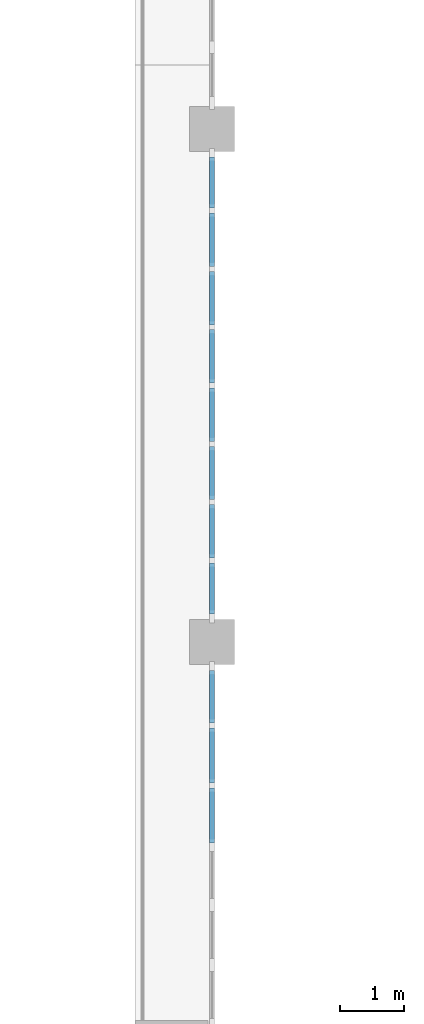
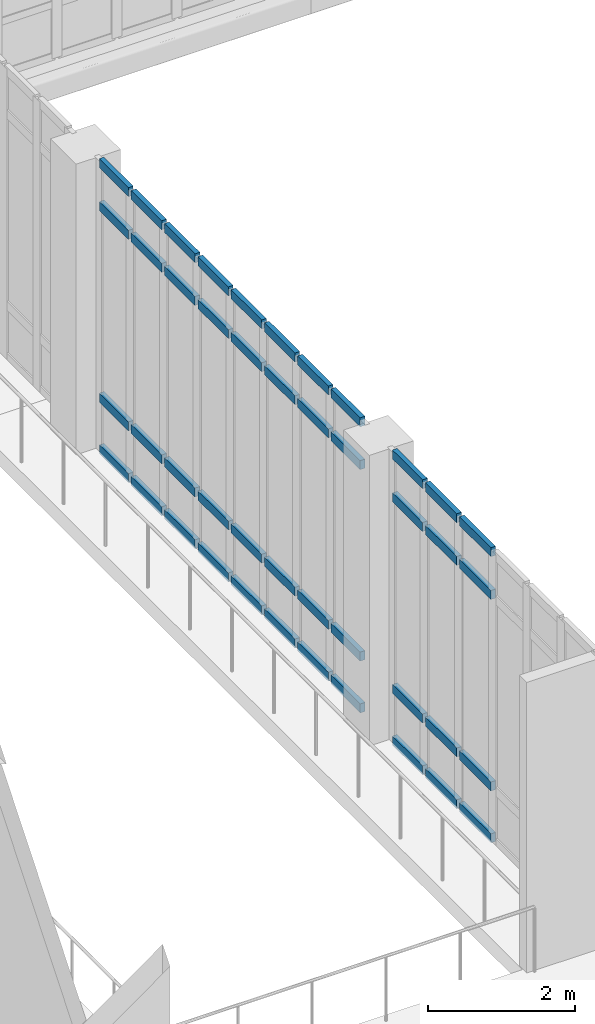
# One storey, part 50 of 107: 44 members, 2 elements without a shape of their own.
"""IFC4 building model written with IfcOpenShell, lengths in metres."""

import ifcopenshell
import ifcopenshell.guid

model = None  # the IFC model being written
_history = None  # IfcOwnerHistory: only IFC2X3 demands one
_inside = {}  # id of a spatial element -> (the spatial element, [elements in it])
_under = {}  # id of a project, library or spatial element -> (it, [spatial elements below it])
_declared = {}  # id of a project -> (the project, [libraries it declares])
_typed = {}  # id of a type object -> (the type object, [elements of that type])
_made_of = {}  # id of a material, layer set ... -> (it, [elements and type objects made of it])


def new_model(schema):
    """Start an empty IFC model of exactly this schema.

    Asked for "IFC4X3", IfcOpenShell would pick the latest addendum, in which some entities
    have other attributes; the version numbers below select the first issue.
    IFC2X3 requires an IfcOwnerHistory on every rooted entity: one is made here for all.
    """
    global model, _history
    if schema == "IFC4X3":
        model = ifcopenshell.file(schema_version=(4, 3, 0, 0))
    else:
        model = ifcopenshell.file(schema=schema)
    _inside.clear()
    _under.clear()
    _declared.clear()
    _typed.clear()
    _made_of.clear()
    _history = None
    if model.schema == "IFC2X3":
        org = make("IfcOrganization", Name="unknown")
        user = make(
            "IfcPersonAndOrganization",
            ThePerson=make("IfcPerson", FamilyName="unknown"),
            TheOrganization=org,
        )
        app = make(
            "IfcApplication",
            ApplicationDeveloper=org,
            Version="unknown",
            ApplicationFullName="unknown",
            ApplicationIdentifier="unknown",
        )
        _history = make(
            "IfcOwnerHistory",
            OwningUser=user,
            OwningApplication=app,
            ChangeAction="ADDED",
            CreationDate=0,
        )
    return model


def make(cls, **values):
    """One entity of the class cls with the attributes given. An attribute that is None is left unset."""
    return model.create_entity(
        cls, **{name: value for name, value in values.items() if value is not None}
    )


def rooted(cls, **values):
    """An entity with a GlobalId (a new one), such as an element, a storey or a relation."""
    return make(cls, GlobalId=ifcopenshell.guid.new(), OwnerHistory=_history, **values)


def si_unit(unit_type, name, prefix=None):
    """IfcSIUnit, for example si_unit("LENGTHUNIT", "METRE", prefix="MILLI")."""
    return make("IfcSIUnit", UnitType=unit_type, Prefix=prefix, Name=name)


def assignment(units):
    """IfcUnitAssignment: the units of a project."""
    return None if units is None else make("IfcUnitAssignment", Units=units)


def point(xyz):
    """IfcCartesianPoint."""
    return None if xyz is None else make("IfcCartesianPoint", Coordinates=xyz)


def direction(xyz):
    """IfcDirection."""
    return None if xyz is None else make("IfcDirection", DirectionRatios=xyz)


def frame(location, z_axis=None, x_axis=None):
    """IfcAxis2Placement3D, a coordinate frame: its origin and axes. An axis left out is left unset."""
    return make(
        "IfcAxis2Placement3D",
        Location=point(location),
        Axis=direction(z_axis),
        RefDirection=direction(x_axis),
    )


def frame_2d(location, x_axis=None):
    """IfcAxis2Placement2D, a coordinate frame in the plane: its origin and x axis."""
    return make(
        "IfcAxis2Placement2D", Location=point(location), RefDirection=direction(x_axis)
    )


def origin():
    """The frame at (0, 0, 0) with its axes left unset."""
    return frame((0.0, 0.0, 0.0))


def origin_2d():
    """The frame at (0, 0) in the plane with its x axis left unset."""
    return frame_2d((0.0, 0.0))


def place(relative_to, where):
    """IfcLocalPlacement: puts the frame where relative to a parent placement (None: the world)."""
    return make(
        "IfcLocalPlacement", PlacementRelTo=relative_to, RelativePlacement=where
    )


def context(
    kind, dimensions, precision=None, world=None, true_north=None, identifier=None
):
    """IfcGeometricRepresentationContext, for example the 3D "Model" context."""
    return make(
        "IfcGeometricRepresentationContext",
        ContextIdentifier=identifier,
        ContextType=kind,
        CoordinateSpaceDimension=dimensions,
        Precision=precision,
        WorldCoordinateSystem=world,
        TrueNorth=true_north,
    )


def subcontext(parent, identifier, kind, view, scale=None):
    """IfcGeometricRepresentationSubContext, for example "Body" below "Model"."""
    return make(
        "IfcGeometricRepresentationSubContext",
        ContextIdentifier=identifier,
        ContextType=kind,
        ParentContext=parent,
        TargetScale=scale,
        TargetView=view,
    )


def project(units=None, contexts=None):
    """IfcProject with its units and contexts."""
    return rooted(
        "IfcProject",
        Name="project",
        RepresentationContexts=contexts,
        UnitsInContext=assignment(units),
    )


def spatial(cls, under=None, at=None, **own):
    """A site, building, storey or space (cls), placed at a placement, below another one or the project."""
    s = rooted(cls, ObjectPlacement=at, **own)
    if under is not None:
        _under.setdefault(under.id(), (under, []))[1].append(s)
    return s


def profile(cls, at=None, kind="AREA", **sizes):
    """A parametric profile (cls). Its sizes go by their IFC names, for example OverallWidth=200.0."""
    return make(cls, ProfileType=kind, Position=at, **sizes)


def rectangle(**sizes):
    """IfcRectangleProfileDef."""
    return profile("IfcRectangleProfileDef", **sizes)


def extrude(swept, where, along, depth):
    """IfcExtrudedAreaSolid: the profile swept, set in the frame where, extruded along a direction by depth."""
    return make(
        "IfcExtrudedAreaSolid",
        SweptArea=swept,
        Position=where,
        ExtrudedDirection=direction(along),
        Depth=depth,
    )


def shape(context_of_items, identifier, shape_type, items):
    """IfcShapeRepresentation: the items that make up one representation, for example the "Body"."""
    return make(
        "IfcShapeRepresentation",
        ContextOfItems=context_of_items,
        RepresentationIdentifier=identifier,
        RepresentationType=shape_type,
        Items=items,
    )


def material(Name=None, Category=None):
    """IfcMaterial."""
    return make("IfcMaterial", Name=Name, Category=Category)


def material_profile(
    of_material, cross_section, Name=None, Category=None, Priority=None
):
    """IfcMaterialProfile: a cross section and its material."""
    return make(
        "IfcMaterialProfile",
        Name=Name,
        Material=of_material,
        Profile=cross_section,
        Priority=Priority,
        Category=Category,
    )


def profile_set(profiles, Name=None, composite=None):
    """IfcMaterialProfileSet."""
    return make(
        "IfcMaterialProfileSet",
        Name=Name,
        MaterialProfiles=profiles,
        CompositeProfile=composite,
    )


def made_of(thing, what):
    """Note that an element or type object is made of a material, layer set ...; save() writes the relation."""
    if what is not None:
        _made_of.setdefault(what.id(), (what, []))[1].append(thing)
    return thing


def type_object(cls, material=None, **own):
    """A type object (cls), such as IfcWallType, which elements share."""
    return made_of(rooted(cls, **own), material)


def element(
    cls,
    number,
    at=None,
    inside=None,
    cuts=None,
    type_object=None,
    material=None,
    context=None,
    identifier="Body",
    shape_type=None,
    held_by="IfcProductDefinitionShape",
    body=None,
    shapes=None,
    **own,
):
    """One element of the class cls, such as IfcWall. Its Tag is "e" and its number.

    at: its placement. inside: the storey or other place that contains it. cuts: it is an
    opening in that element (IfcRelVoidsElement). A single representation is given by context,
    identifier, shape_type and body (its items); several are given by shapes. held_by: the class
    of the entity that holds the representations. save() writes the other relations.
    """
    e = rooted(cls, Tag="e%d" % number, ObjectPlacement=at, **own)
    if body is not None:
        shapes = [shape(context, identifier, shape_type, body)]
    if shapes is not None:
        e.Representation = make(held_by, Representations=shapes)
    if inside is not None:
        _inside.setdefault(inside.id(), (inside, []))[1].append(e)
    if cuts is not None:
        rooted(
            "IfcRelVoidsElement", RelatingBuildingElement=cuts, RelatedOpeningElement=e
        )
    if type_object is not None:
        _typed.setdefault(type_object.id(), (type_object, []))[1].append(e)
    return made_of(e, material)


def aggregate(whole, parts):
    """IfcRelAggregates: a whole, such as a stair, and the parts it consists of."""
    return rooted("IfcRelAggregates", RelatingObject=whole, RelatedObjects=parts)


def save(model, path):
    """Write the relations noted so far, then the file.

    IfcRelAggregates (storeys below a building ...), IfcRelContainedInSpatialStructure (elements
    in a storey), IfcRelDefinesByType, IfcRelAssociatesMaterial and IfcRelDeclares: one each for
    every whole, place, type object, material and project.
    """
    for whole, parts in _under.values():
        aggregate(whole, parts)
    for where, things in _inside.values():
        rooted(
            "IfcRelContainedInSpatialStructure",
            RelatedElements=things,
            RelatingStructure=where,
        )
    for kind, things in _typed.values():
        rooted("IfcRelDefinesByType", RelatedObjects=things, RelatingType=kind)
    for what, things in _made_of.values():
        rooted("IfcRelAssociatesMaterial", RelatedObjects=things, RelatingMaterial=what)
    for by, libraries in _declared.values():
        rooted("IfcRelDeclares", RelatingContext=by, RelatedDefinitions=libraries)
    model.write(path)


model = new_model("IFC4")

# Units and contexts
model_context = context("Model", 3, precision=1e-05, world=origin(), true_north=direction((0.0, 1.0)))
body_context = subcontext(model_context, "Body", "Model", "MODEL_VIEW")
ifc_project = project(units=[si_unit("LENGTHUNIT", "METRE"), si_unit("AREAUNIT", "SQUARE_METRE"), si_unit("VOLUMEUNIT", "CUBIC_METRE"), si_unit("PLANEANGLEUNIT", "RADIAN"), si_unit("MASSUNIT", "GRAM", prefix="KILO")], contexts=[model_context])

# Site, building, storey
site_placement = place(None, origin())
site = spatial("IfcSite", under=ifc_project, at=site_placement, CompositionType="ELEMENT")
building_placement = place(site_placement, origin())
building = spatial("IfcBuilding", under=site, at=building_placement, Name="Tarnveldt Square Police Headquarters", CompositionType="ELEMENT")
storey_placement = place(building_placement, frame((0.0, 0.0, 14.699951171875)))
storey = spatial("IfcBuildingStorey", under=building, at=storey_placement, Name="L03", CompositionType="ELEMENT", Elevation=14.699951171875)

# Curtain wall, members
ifc_material_1 = material(Name="Triple-glazed low-e laminated vision glass", Category="glass")
curtain_wall_type_1 = type_object("IfcCurtainWallType", Name="CW-WG-747x484", PredefinedType="USERDEFINED", material=ifc_material_1)
curtain_wall_1_placement = place(storey_placement, origin())
curtain_wall_1 = element("IfcCurtainWall", 1, at=curtain_wall_1_placement, inside=storey, type_object=curtain_wall_type_1, Name="L03 Curtain Wall CW-L03-078", ObjectType="GLAZED CURTAIN WALL", PredefinedType="USERDEFINED")
ifc_material_2 = material(Name="Thermally broken anodised aluminium 6063-T6", Category="aluminium")
ifc_material_profile = material_profile(ifc_material_2, rectangle(XDim=0.074951171875, YDim=0.14990234375, at=origin_2d()), Name="CW-T75x150")
ifc_profile_set = profile_set([ifc_material_profile], Name="Thermally broken anodised aluminium 6063-T6")
member_type = type_object("IfcMemberType", Name="CWT-75x150", PredefinedType="USERDEFINED", material=ifc_profile_set)
member_1_placement = place(storey_placement, frame((48.60009765625, 52.8720703125, 0.03759765625), z_axis=(0.0, 1.0, 0.0), x_axis=(-1.0, 0.0, 0.0)))
member_1 = element("IfcMember", 2, at=member_1_placement, type_object=member_type, Name="CW-WG38 transom 6.1", ObjectType="TRANSOM", PredefinedType="USERDEFINED", context=body_context, shape_type="SweptSolid", body=[
    extrude(rectangle(XDim=0.074951171875, YDim=0.14990234375, at=origin_2d()), origin(), (0.0, 0.0, 1.0), 0.858642578125),
])
member_2_placement = place(storey_placement, frame((48.60009765625, 52.8720703125, 0.900146484375), z_axis=(0.0, 1.0, 0.0), x_axis=(-1.0, 0.0, 0.0)))
member_2 = element("IfcMember", 3, at=member_2_placement, type_object=member_type, Name="CW-WG38 transom 6.2", ObjectType="TRANSOM", PredefinedType="USERDEFINED", context=body_context, shape_type="SweptSolid", body=[
    extrude(rectangle(XDim=0.074951171875, YDim=0.14990234375, at=origin_2d()), origin(), (0.0, 0.0, 1.0), 0.858642578125),
])
member_3_placement = place(storey_placement, frame((48.60009765625, 52.8720703125, 4.090087890625), z_axis=(0.0, 1.0, 0.0), x_axis=(-1.0, 0.0, 0.0)))
member_3 = element("IfcMember", 4, at=member_3_placement, type_object=member_type, Name="CW-WG38 transom 6.3", ObjectType="TRANSOM", PredefinedType="USERDEFINED", context=body_context, shape_type="SweptSolid", body=[
    extrude(rectangle(XDim=0.074951171875, YDim=0.14990234375, at=origin_2d()), origin(), (0.0, 0.0, 1.0), 0.858642578125),
])
member_4_placement = place(storey_placement, frame((48.60009765625, 52.8720703125, 4.802490234375), z_axis=(0.0, 1.0, 0.0), x_axis=(-1.0, 0.0, 0.0)))
member_4 = element("IfcMember", 5, at=member_4_placement, type_object=member_type, Name="CW-WG38 transom 6.4", ObjectType="TRANSOM", PredefinedType="USERDEFINED", context=body_context, shape_type="SweptSolid", body=[
    extrude(rectangle(XDim=0.074951171875, YDim=0.14990234375, at=origin_2d()), origin(), (0.0, 0.0, 1.0), 0.858642578125),
])
member_5_placement = place(storey_placement, frame((48.60009765625, 53.8056640625, 0.03759765625), z_axis=(0.0, 1.0, 0.0), x_axis=(-1.0, 0.0, 0.0)))
member_5 = element("IfcMember", 6, at=member_5_placement, type_object=member_type, Name="CW-WG38 transom 7.1", ObjectType="TRANSOM", PredefinedType="USERDEFINED", context=body_context, shape_type="SweptSolid", body=[
    extrude(rectangle(XDim=0.074951171875, YDim=0.14990234375, at=origin_2d()), origin(), (0.0, 0.0, 1.0), 0.8583984375),
])
member_6_placement = place(storey_placement, frame((48.60009765625, 53.8056640625, 0.900146484375), z_axis=(0.0, 1.0, 0.0), x_axis=(-1.0, 0.0, 0.0)))
member_6 = element("IfcMember", 7, at=member_6_placement, type_object=member_type, Name="CW-WG38 transom 7.2", ObjectType="TRANSOM", PredefinedType="USERDEFINED", context=body_context, shape_type="SweptSolid", body=[
    extrude(rectangle(XDim=0.074951171875, YDim=0.14990234375, at=origin_2d()), origin(), (0.0, 0.0, 1.0), 0.8583984375),
])
member_7_placement = place(storey_placement, frame((48.60009765625, 53.8056640625, 4.090087890625), z_axis=(0.0, 1.0, 0.0), x_axis=(-1.0, 0.0, 0.0)))
member_7 = element("IfcMember", 8, at=member_7_placement, type_object=member_type, Name="CW-WG38 transom 7.3", ObjectType="TRANSOM", PredefinedType="USERDEFINED", context=body_context, shape_type="SweptSolid", body=[
    extrude(rectangle(XDim=0.074951171875, YDim=0.14990234375, at=origin_2d()), origin(), (0.0, 0.0, 1.0), 0.8583984375),
])
member_8_placement = place(storey_placement, frame((48.60009765625, 53.8056640625, 4.802490234375), z_axis=(0.0, 1.0, 0.0), x_axis=(-1.0, 0.0, 0.0)))
member_8 = element("IfcMember", 9, at=member_8_placement, type_object=member_type, Name="CW-WG38 transom 7.4", ObjectType="TRANSOM", PredefinedType="USERDEFINED", context=body_context, shape_type="SweptSolid", body=[
    extrude(rectangle(XDim=0.074951171875, YDim=0.14990234375, at=origin_2d()), origin(), (0.0, 0.0, 1.0), 0.8583984375),
])
member_9_placement = place(storey_placement, frame((48.60009765625, 54.739013671875, 0.03759765625), z_axis=(0.0, 1.0, 0.0), x_axis=(-1.0, 0.0, 0.0)))
member_9 = element("IfcMember", 10, at=member_9_placement, type_object=member_type, Name="CW-WG38 transom 8.1", ObjectType="TRANSOM", PredefinedType="USERDEFINED", context=body_context, shape_type="SweptSolid", body=[
    extrude(rectangle(XDim=0.074951171875, YDim=0.14990234375, at=origin_2d()), origin(), (0.0, 0.0, 1.0), 0.821044921875),
])
member_10_placement = place(storey_placement, frame((48.60009765625, 54.739013671875, 0.900146484375), z_axis=(0.0, 1.0, 0.0), x_axis=(-1.0, 0.0, 0.0)))
member_10 = element("IfcMember", 11, at=member_10_placement, type_object=member_type, Name="CW-WG38 transom 8.2", ObjectType="TRANSOM", PredefinedType="USERDEFINED", context=body_context, shape_type="SweptSolid", body=[
    extrude(rectangle(XDim=0.074951171875, YDim=0.14990234375, at=origin_2d()), origin(), (0.0, 0.0, 1.0), 0.821044921875),
])
member_11_placement = place(storey_placement, frame((48.60009765625, 54.739013671875, 4.090087890625), z_axis=(0.0, 1.0, 0.0), x_axis=(-1.0, 0.0, 0.0)))
member_11 = element("IfcMember", 12, at=member_11_placement, type_object=member_type, Name="CW-WG38 transom 8.3", ObjectType="TRANSOM", PredefinedType="USERDEFINED", context=body_context, shape_type="SweptSolid", body=[
    extrude(rectangle(XDim=0.074951171875, YDim=0.14990234375, at=origin_2d()), origin(), (0.0, 0.0, 1.0), 0.821044921875),
])
member_12_placement = place(storey_placement, frame((48.60009765625, 54.739013671875, 4.802490234375), z_axis=(0.0, 1.0, 0.0), x_axis=(-1.0, 0.0, 0.0)))
member_12 = element("IfcMember", 13, at=member_12_placement, type_object=member_type, Name="CW-WG38 transom 8.4", ObjectType="TRANSOM", PredefinedType="USERDEFINED", context=body_context, shape_type="SweptSolid", body=[
    extrude(rectangle(XDim=0.074951171875, YDim=0.14990234375, at=origin_2d()), origin(), (0.0, 0.0, 1.0), 0.821044921875),
])
aggregate(curtain_wall_1, [member_1, member_2, member_3, member_4, member_5, member_6, member_7, member_8, member_9, member_10, member_11, member_12])

curtain_wall_type_2 = type_object("IfcCurtainWallType", Name="CW-WG-727x484", PredefinedType="USERDEFINED", material=ifc_material_1)
curtain_wall_2_placement = place(storey_placement, origin())
curtain_wall_2 = element("IfcCurtainWall", 14, at=curtain_wall_2_placement, inside=storey, type_object=curtain_wall_type_2, Name="L03 Curtain Wall CW-L03-079", ObjectType="GLAZED CURTAIN WALL", PredefinedType="USERDEFINED")
member_13_placement = place(storey_placement, frame((48.60009765625, 56.43994140625, 0.03759765625), z_axis=(0.0, 1.0, 0.0), x_axis=(-1.0, 0.0, 0.0)))
member_13 = element("IfcMember", 15, at=member_13_placement, type_object=member_type, Name="CW-WG39 transom 1.1", ObjectType="TRANSOM", PredefinedType="USERDEFINED", context=body_context, shape_type="SweptSolid", body=[
    extrude(rectangle(XDim=0.074951171875, YDim=0.14990234375, at=origin_2d()), origin(), (0.0, 0.0, 1.0), 0.79638671875),
])
member_14_placement = place(storey_placement, frame((48.60009765625, 56.43994140625, 0.900146484375), z_axis=(0.0, 1.0, 0.0), x_axis=(-1.0, 0.0, 0.0)))
member_14 = element("IfcMember", 16, at=member_14_placement, type_object=member_type, Name="CW-WG39 transom 1.2", ObjectType="TRANSOM", PredefinedType="USERDEFINED", context=body_context, shape_type="SweptSolid", body=[
    extrude(rectangle(XDim=0.074951171875, YDim=0.14990234375, at=origin_2d()), origin(), (0.0, 0.0, 1.0), 0.79638671875),
])
member_15_placement = place(storey_placement, frame((48.60009765625, 56.43994140625, 4.090087890625), z_axis=(0.0, 1.0, 0.0), x_axis=(-1.0, 0.0, 0.0)))
member_15 = element("IfcMember", 17, at=member_15_placement, type_object=member_type, Name="CW-WG39 transom 1.3", ObjectType="TRANSOM", PredefinedType="USERDEFINED", context=body_context, shape_type="SweptSolid", body=[
    extrude(rectangle(XDim=0.074951171875, YDim=0.14990234375, at=origin_2d()), origin(), (0.0, 0.0, 1.0), 0.79638671875),
])
member_16_placement = place(storey_placement, frame((48.60009765625, 56.43994140625, 4.802490234375), z_axis=(0.0, 1.0, 0.0), x_axis=(-1.0, 0.0, 0.0)))
member_16 = element("IfcMember", 18, at=member_16_placement, type_object=member_type, Name="CW-WG39 transom 1.4", ObjectType="TRANSOM", PredefinedType="USERDEFINED", context=body_context, shape_type="SweptSolid", body=[
    extrude(rectangle(XDim=0.074951171875, YDim=0.14990234375, at=origin_2d()), origin(), (0.0, 0.0, 1.0), 0.79638671875),
])
member_17_placement = place(storey_placement, frame((48.60009765625, 57.311279296875, 0.03759765625), z_axis=(0.0, 1.0, 0.0), x_axis=(-1.0, 0.0, 0.0)))
member_17 = element("IfcMember", 19, at=member_17_placement, type_object=member_type, Name="CW-WG39 transom 2.1", ObjectType="TRANSOM", PredefinedType="USERDEFINED", context=body_context, shape_type="SweptSolid", body=[
    extrude(rectangle(XDim=0.074951171875, YDim=0.14990234375, at=origin_2d()), origin(), (0.0, 0.0, 1.0), 0.833740234375),
])
member_18_placement = place(storey_placement, frame((48.60009765625, 57.311279296875, 0.900146484375), z_axis=(0.0, 1.0, 0.0), x_axis=(-1.0, 0.0, 0.0)))
member_18 = element("IfcMember", 20, at=member_18_placement, type_object=member_type, Name="CW-WG39 transom 2.2", ObjectType="TRANSOM", PredefinedType="USERDEFINED", context=body_context, shape_type="SweptSolid", body=[
    extrude(rectangle(XDim=0.074951171875, YDim=0.14990234375, at=origin_2d()), origin(), (0.0, 0.0, 1.0), 0.833740234375),
])
member_19_placement = place(storey_placement, frame((48.60009765625, 57.311279296875, 4.090087890625), z_axis=(0.0, 1.0, 0.0), x_axis=(-1.0, 0.0, 0.0)))
member_19 = element("IfcMember", 21, at=member_19_placement, type_object=member_type, Name="CW-WG39 transom 2.3", ObjectType="TRANSOM", PredefinedType="USERDEFINED", context=body_context, shape_type="SweptSolid", body=[
    extrude(rectangle(XDim=0.074951171875, YDim=0.14990234375, at=origin_2d()), origin(), (0.0, 0.0, 1.0), 0.833740234375),
])
member_20_placement = place(storey_placement, frame((48.60009765625, 57.311279296875, 4.802490234375), z_axis=(0.0, 1.0, 0.0), x_axis=(-1.0, 0.0, 0.0)))
member_20 = element("IfcMember", 22, at=member_20_placement, type_object=member_type, Name="CW-WG39 transom 2.4", ObjectType="TRANSOM", PredefinedType="USERDEFINED", context=body_context, shape_type="SweptSolid", body=[
    extrude(rectangle(XDim=0.074951171875, YDim=0.14990234375, at=origin_2d()), origin(), (0.0, 0.0, 1.0), 0.833740234375),
])
member_21_placement = place(storey_placement, frame((48.60009765625, 58.219970703125, 0.03759765625), z_axis=(0.0, 1.0, 0.0), x_axis=(-1.0, 0.0, 0.0)))
member_21 = element("IfcMember", 23, at=member_21_placement, type_object=member_type, Name="CW-WG39 transom 3.1", ObjectType="TRANSOM", PredefinedType="USERDEFINED", context=body_context, shape_type="SweptSolid", body=[
    extrude(rectangle(XDim=0.074951171875, YDim=0.14990234375, at=origin_2d()), origin(), (0.0, 0.0, 1.0), 0.833740234375),
])
member_22_placement = place(storey_placement, frame((48.60009765625, 58.219970703125, 0.900146484375), z_axis=(0.0, 1.0, 0.0), x_axis=(-1.0, 0.0, 0.0)))
member_22 = element("IfcMember", 24, at=member_22_placement, type_object=member_type, Name="CW-WG39 transom 3.2", ObjectType="TRANSOM", PredefinedType="USERDEFINED", context=body_context, shape_type="SweptSolid", body=[
    extrude(rectangle(XDim=0.074951171875, YDim=0.14990234375, at=origin_2d()), origin(), (0.0, 0.0, 1.0), 0.833740234375),
])
member_23_placement = place(storey_placement, frame((48.60009765625, 58.219970703125, 4.090087890625), z_axis=(0.0, 1.0, 0.0), x_axis=(-1.0, 0.0, 0.0)))
member_23 = element("IfcMember", 25, at=member_23_placement, type_object=member_type, Name="CW-WG39 transom 3.3", ObjectType="TRANSOM", PredefinedType="USERDEFINED", context=body_context, shape_type="SweptSolid", body=[
    extrude(rectangle(XDim=0.074951171875, YDim=0.14990234375, at=origin_2d()), origin(), (0.0, 0.0, 1.0), 0.833740234375),
])
member_24_placement = place(storey_placement, frame((48.60009765625, 58.219970703125, 4.802490234375), z_axis=(0.0, 1.0, 0.0), x_axis=(-1.0, 0.0, 0.0)))
member_24 = element("IfcMember", 26, at=member_24_placement, type_object=member_type, Name="CW-WG39 transom 3.4", ObjectType="TRANSOM", PredefinedType="USERDEFINED", context=body_context, shape_type="SweptSolid", body=[
    extrude(rectangle(XDim=0.074951171875, YDim=0.14990234375, at=origin_2d()), origin(), (0.0, 0.0, 1.0), 0.833740234375),
])
member_25_placement = place(storey_placement, frame((48.60009765625, 59.128662109375, 0.03759765625), z_axis=(0.0, 1.0, 0.0), x_axis=(-1.0, 0.0, 0.0)))
member_25 = element("IfcMember", 27, at=member_25_placement, type_object=member_type, Name="CW-WG39 transom 4.1", ObjectType="TRANSOM", PredefinedType="USERDEFINED", context=body_context, shape_type="SweptSolid", body=[
    extrude(rectangle(XDim=0.074951171875, YDim=0.14990234375, at=origin_2d()), origin(), (0.0, 0.0, 1.0), 0.833740234375),
])
member_26_placement = place(storey_placement, frame((48.60009765625, 59.128662109375, 0.900146484375), z_axis=(0.0, 1.0, 0.0), x_axis=(-1.0, 0.0, 0.0)))
member_26 = element("IfcMember", 28, at=member_26_placement, type_object=member_type, Name="CW-WG39 transom 4.2", ObjectType="TRANSOM", PredefinedType="USERDEFINED", context=body_context, shape_type="SweptSolid", body=[
    extrude(rectangle(XDim=0.074951171875, YDim=0.14990234375, at=origin_2d()), origin(), (0.0, 0.0, 1.0), 0.833740234375),
])
member_27_placement = place(storey_placement, frame((48.60009765625, 59.128662109375, 4.090087890625), z_axis=(0.0, 1.0, 0.0), x_axis=(-1.0, 0.0, 0.0)))
member_27 = element("IfcMember", 29, at=member_27_placement, type_object=member_type, Name="CW-WG39 transom 4.3", ObjectType="TRANSOM", PredefinedType="USERDEFINED", context=body_context, shape_type="SweptSolid", body=[
    extrude(rectangle(XDim=0.074951171875, YDim=0.14990234375, at=origin_2d()), origin(), (0.0, 0.0, 1.0), 0.833740234375),
])
member_28_placement = place(storey_placement, frame((48.60009765625, 59.128662109375, 4.802490234375), z_axis=(0.0, 1.0, 0.0), x_axis=(-1.0, 0.0, 0.0)))
member_28 = element("IfcMember", 30, at=member_28_placement, type_object=member_type, Name="CW-WG39 transom 4.4", ObjectType="TRANSOM", PredefinedType="USERDEFINED", context=body_context, shape_type="SweptSolid", body=[
    extrude(rectangle(XDim=0.074951171875, YDim=0.14990234375, at=origin_2d()), origin(), (0.0, 0.0, 1.0), 0.833740234375),
])
member_29_placement = place(storey_placement, frame((48.60009765625, 60.03759765625, 0.03759765625), z_axis=(0.0, 1.0, 0.0), x_axis=(-1.0, 0.0, 0.0)))
member_29 = element("IfcMember", 31, at=member_29_placement, type_object=member_type, Name="CW-WG39 transom 5.1", ObjectType="TRANSOM", PredefinedType="USERDEFINED", context=body_context, shape_type="SweptSolid", body=[
    extrude(rectangle(XDim=0.074951171875, YDim=0.14990234375, at=origin_2d()), origin(), (0.0, 0.0, 1.0), 0.833740234375),
])
member_30_placement = place(storey_placement, frame((48.60009765625, 60.03759765625, 0.900146484375), z_axis=(0.0, 1.0, 0.0), x_axis=(-1.0, 0.0, 0.0)))
member_30 = element("IfcMember", 32, at=member_30_placement, type_object=member_type, Name="CW-WG39 transom 5.2", ObjectType="TRANSOM", PredefinedType="USERDEFINED", context=body_context, shape_type="SweptSolid", body=[
    extrude(rectangle(XDim=0.074951171875, YDim=0.14990234375, at=origin_2d()), origin(), (0.0, 0.0, 1.0), 0.833740234375),
])
member_31_placement = place(storey_placement, frame((48.60009765625, 60.03759765625, 4.090087890625), z_axis=(0.0, 1.0, 0.0), x_axis=(-1.0, 0.0, 0.0)))
member_31 = element("IfcMember", 33, at=member_31_placement, type_object=member_type, Name="CW-WG39 transom 5.3", ObjectType="TRANSOM", PredefinedType="USERDEFINED", context=body_context, shape_type="SweptSolid", body=[
    extrude(rectangle(XDim=0.074951171875, YDim=0.14990234375, at=origin_2d()), origin(), (0.0, 0.0, 1.0), 0.833740234375),
])
member_32_placement = place(storey_placement, frame((48.60009765625, 60.03759765625, 4.802490234375), z_axis=(0.0, 1.0, 0.0), x_axis=(-1.0, 0.0, 0.0)))
member_32 = element("IfcMember", 34, at=member_32_placement, type_object=member_type, Name="CW-WG39 transom 5.4", ObjectType="TRANSOM", PredefinedType="USERDEFINED", context=body_context, shape_type="SweptSolid", body=[
    extrude(rectangle(XDim=0.074951171875, YDim=0.14990234375, at=origin_2d()), origin(), (0.0, 0.0, 1.0), 0.833740234375),
])
member_33_placement = place(storey_placement, frame((48.60009765625, 60.9462890625, 0.03759765625), z_axis=(0.0, 1.0, 0.0), x_axis=(-1.0, 0.0, 0.0)))
member_33 = element("IfcMember", 35, at=member_33_placement, type_object=member_type, Name="CW-WG39 transom 6.1", ObjectType="TRANSOM", PredefinedType="USERDEFINED", context=body_context, shape_type="SweptSolid", body=[
    extrude(rectangle(XDim=0.074951171875, YDim=0.14990234375, at=origin_2d()), origin(), (0.0, 0.0, 1.0), 0.833740234375),
])
member_34_placement = place(storey_placement, frame((48.60009765625, 60.9462890625, 0.900146484375), z_axis=(0.0, 1.0, 0.0), x_axis=(-1.0, 0.0, 0.0)))
member_34 = element("IfcMember", 36, at=member_34_placement, type_object=member_type, Name="CW-WG39 transom 6.2", ObjectType="TRANSOM", PredefinedType="USERDEFINED", context=body_context, shape_type="SweptSolid", body=[
    extrude(rectangle(XDim=0.074951171875, YDim=0.14990234375, at=origin_2d()), origin(), (0.0, 0.0, 1.0), 0.833740234375),
])
member_35_placement = place(storey_placement, frame((48.60009765625, 60.9462890625, 4.090087890625), z_axis=(0.0, 1.0, 0.0), x_axis=(-1.0, 0.0, 0.0)))
member_35 = element("IfcMember", 37, at=member_35_placement, type_object=member_type, Name="CW-WG39 transom 6.3", ObjectType="TRANSOM", PredefinedType="USERDEFINED", context=body_context, shape_type="SweptSolid", body=[
    extrude(rectangle(XDim=0.074951171875, YDim=0.14990234375, at=origin_2d()), origin(), (0.0, 0.0, 1.0), 0.833740234375),
])
member_36_placement = place(storey_placement, frame((48.60009765625, 60.9462890625, 4.802490234375), z_axis=(0.0, 1.0, 0.0), x_axis=(-1.0, 0.0, 0.0)))
member_36 = element("IfcMember", 38, at=member_36_placement, type_object=member_type, Name="CW-WG39 transom 6.4", ObjectType="TRANSOM", PredefinedType="USERDEFINED", context=body_context, shape_type="SweptSolid", body=[
    extrude(rectangle(XDim=0.074951171875, YDim=0.14990234375, at=origin_2d()), origin(), (0.0, 0.0, 1.0), 0.833740234375),
])
member_37_placement = place(storey_placement, frame((48.60009765625, 61.85498046875, 0.03759765625), z_axis=(0.0, 1.0, 0.0), x_axis=(-1.0, 0.0, 0.0)))
member_37 = element("IfcMember", 39, at=member_37_placement, type_object=member_type, Name="CW-WG39 transom 7.1", ObjectType="TRANSOM", PredefinedType="USERDEFINED", context=body_context, shape_type="SweptSolid", body=[
    extrude(rectangle(XDim=0.074951171875, YDim=0.14990234375, at=origin_2d()), origin(), (0.0, 0.0, 1.0), 0.833740234375),
])
member_38_placement = place(storey_placement, frame((48.60009765625, 61.85498046875, 0.900146484375), z_axis=(0.0, 1.0, 0.0), x_axis=(-1.0, 0.0, 0.0)))
member_38 = element("IfcMember", 40, at=member_38_placement, type_object=member_type, Name="CW-WG39 transom 7.2", ObjectType="TRANSOM", PredefinedType="USERDEFINED", context=body_context, shape_type="SweptSolid", body=[
    extrude(rectangle(XDim=0.074951171875, YDim=0.14990234375, at=origin_2d()), origin(), (0.0, 0.0, 1.0), 0.833740234375),
])
member_39_placement = place(storey_placement, frame((48.60009765625, 61.85498046875, 4.090087890625), z_axis=(0.0, 1.0, 0.0), x_axis=(-1.0, 0.0, 0.0)))
member_39 = element("IfcMember", 41, at=member_39_placement, type_object=member_type, Name="CW-WG39 transom 7.3", ObjectType="TRANSOM", PredefinedType="USERDEFINED", context=body_context, shape_type="SweptSolid", body=[
    extrude(rectangle(XDim=0.074951171875, YDim=0.14990234375, at=origin_2d()), origin(), (0.0, 0.0, 1.0), 0.833740234375),
])
member_40_placement = place(storey_placement, frame((48.60009765625, 61.85498046875, 4.802490234375), z_axis=(0.0, 1.0, 0.0), x_axis=(-1.0, 0.0, 0.0)))
member_40 = element("IfcMember", 42, at=member_40_placement, type_object=member_type, Name="CW-WG39 transom 7.4", ObjectType="TRANSOM", PredefinedType="USERDEFINED", context=body_context, shape_type="SweptSolid", body=[
    extrude(rectangle(XDim=0.074951171875, YDim=0.14990234375, at=origin_2d()), origin(), (0.0, 0.0, 1.0), 0.833740234375),
])
member_41_placement = place(storey_placement, frame((48.60009765625, 62.763671875, 0.03759765625), z_axis=(0.0, 1.0, 0.0), x_axis=(-1.0, 0.0, 0.0)))
member_41 = element("IfcMember", 43, at=member_41_placement, type_object=member_type, Name="CW-WG39 transom 8.1", ObjectType="TRANSOM", PredefinedType="USERDEFINED", context=body_context, shape_type="SweptSolid", body=[
    extrude(rectangle(XDim=0.074951171875, YDim=0.14990234375, at=origin_2d()), origin(), (0.0, 0.0, 1.0), 0.79638671875),
])
member_42_placement = place(storey_placement, frame((48.60009765625, 62.763671875, 0.900146484375), z_axis=(0.0, 1.0, 0.0), x_axis=(-1.0, 0.0, 0.0)))
member_42 = element("IfcMember", 44, at=member_42_placement, type_object=member_type, Name="CW-WG39 transom 8.2", ObjectType="TRANSOM", PredefinedType="USERDEFINED", context=body_context, shape_type="SweptSolid", body=[
    extrude(rectangle(XDim=0.074951171875, YDim=0.14990234375, at=origin_2d()), origin(), (0.0, 0.0, 1.0), 0.79638671875),
])
member_43_placement = place(storey_placement, frame((48.60009765625, 62.763671875, 4.090087890625), z_axis=(0.0, 1.0, 0.0), x_axis=(-1.0, 0.0, 0.0)))
member_43 = element("IfcMember", 45, at=member_43_placement, type_object=member_type, Name="CW-WG39 transom 8.3", ObjectType="TRANSOM", PredefinedType="USERDEFINED", context=body_context, shape_type="SweptSolid", body=[
    extrude(rectangle(XDim=0.074951171875, YDim=0.14990234375, at=origin_2d()), origin(), (0.0, 0.0, 1.0), 0.79638671875),
])
member_44_placement = place(storey_placement, frame((48.60009765625, 62.763671875, 4.802490234375), z_axis=(0.0, 1.0, 0.0), x_axis=(-1.0, 0.0, 0.0)))
member_44 = element("IfcMember", 46, at=member_44_placement, type_object=member_type, Name="CW-WG39 transom 8.4", ObjectType="TRANSOM", PredefinedType="USERDEFINED", context=body_context, shape_type="SweptSolid", body=[
    extrude(rectangle(XDim=0.074951171875, YDim=0.14990234375, at=origin_2d()), origin(), (0.0, 0.0, 1.0), 0.79638671875),
])
aggregate(curtain_wall_2, [member_13, member_14, member_15, member_16, member_17, member_18, member_19, member_20, member_21, member_22, member_23, member_24, member_25, member_26, member_27, member_28, member_29, member_30, member_31, member_32, member_33, member_34, member_35, member_36, member_37, member_38, member_39, member_40, member_41, member_42, member_43, member_44])

save(model, "model.ifc")
